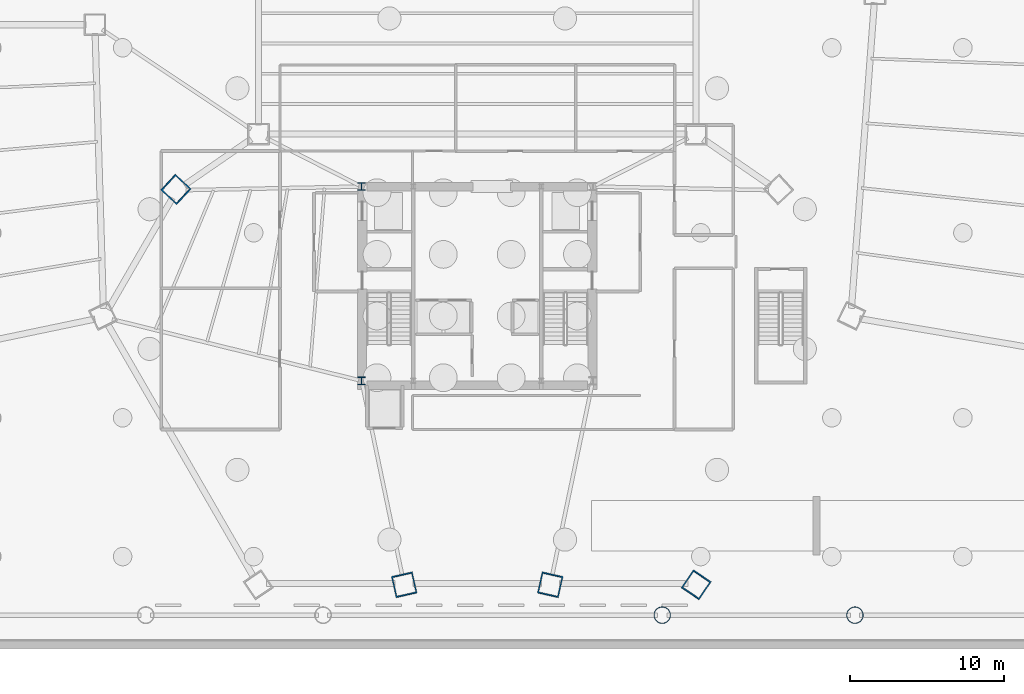
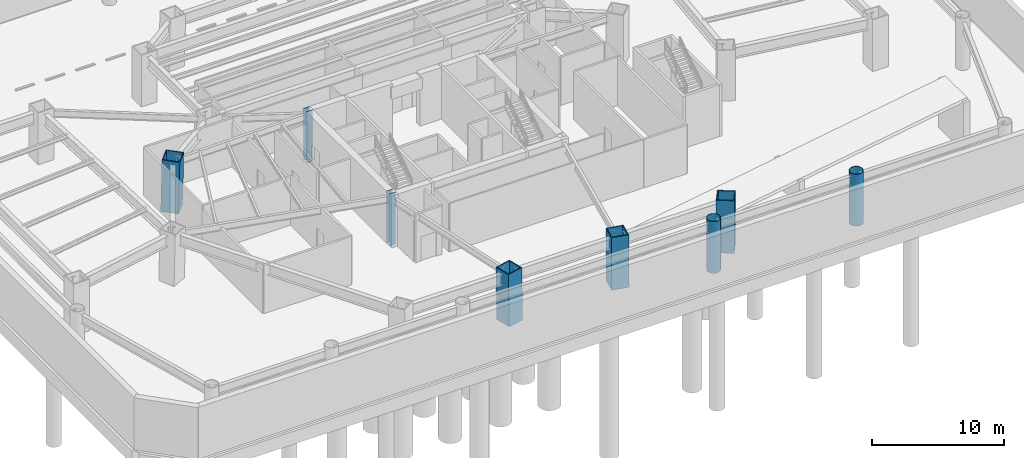
# One storey, part 2 of 11: 8 columns.
"""IFC4 building model written with IfcOpenShell, lengths in metres."""

from ifc_helpers import new_model, si_unit, direction, frame, origin, origin_2d, place, context, subcontext, project, spatial, hollow_rectangle, hollow_circle, i_section, extrude, source, transform, mapped, material, material_profile, profile_set, type_object, type_shapes, element, save


model = new_model("IFC4")

# Units and contexts
model_context = context("Model", 3, precision=1e-05, world=origin(), true_north=direction((0.0, 1.0)))
body_context = subcontext(model_context, "Body", "Model", "MODEL_VIEW")
ifc_project = project(units=[si_unit("LENGTHUNIT", "METRE"), si_unit("AREAUNIT", "SQUARE_METRE"), si_unit("VOLUMEUNIT", "CUBIC_METRE"), si_unit("PLANEANGLEUNIT", "RADIAN"), si_unit("MASSUNIT", "GRAM", prefix="KILO")], contexts=[model_context])

# Site, building, storey
site_placement = place(None, origin())
site = spatial("IfcSite", under=ifc_project, at=site_placement, CompositionType="ELEMENT")
building_placement = place(site_placement, origin())
building = spatial("IfcBuilding", under=site, at=building_placement, Name="Caelisora Broadcast Tower", CompositionType="ELEMENT")
storey_placement = place(building_placement, frame((0.0, 0.0, -4.800048828125)))
storey = spatial("IfcBuildingStorey", under=building, at=storey_placement, Name="B1", CompositionType="ELEMENT", Elevation=-4.800048828125)

# Columns
ifc_material_1 = material(Name="Steel Grade 350 (AS/NZS 3679.2)", Category="steel")
ifc_material_profile_1 = material_profile(ifc_material_1, i_section(OverallWidth=0.5, OverallDepth=0.5, WebThickness=0.028076171875, FlangeThickness=0.0400390625, at=origin_2d()), Name="Steel Grade 350 (AS/NZS 3679.2)")
ifc_profile_set_1 = profile_set([ifc_material_profile_1], Name="Steel Grade 350 (AS/NZS 3679.2)")
column_type_1 = type_object("IfcColumnType", Name="CC01", PredefinedType="COLUMN", material=ifc_profile_set_1)
shared_shape_1 = source(origin(), body_context, "Body", "SweptSolid", [
    extrude(i_section(OverallWidth=0.5, OverallDepth=0.5, WebThickness=0.028076171875, FlangeThickness=0.0400390625, at=origin_2d()), origin(), (0.0, 0.0, 1.0), 4.800048828125),
])
type_shapes(column_type_1, [shared_shape_1])
for number, where, z_axis, x_axis, name in (
    (1, (30.5, 17.39990234375, 0.0), (0.0, 0.0, 1.0), (1.0, 0.0, 0.0), "B1 column CC01"),
    (2, (30.5, 30.0, 0.0), (0.0, 0.0, 1.0), (1.0, 0.0, 0.0), "B1 column CC01"),
):
    element("IfcColumn", number, at=place(storey_placement, frame(where, z_axis=z_axis, x_axis=x_axis)), inside=storey, type_object=column_type_1, Name=name, PredefinedType="COLUMN", context=body_context, shape_type="MappedRepresentation", body=[
        mapped(shared_shape_1, transform((0.0, 0.0, 0.0), scale=1.0)),
    ])
ifc_material_2 = material(Name="Steel Grade 350 L15 (AS/NZS 3678)", Category="steel")
ifc_material_profile_2 = material_profile(ifc_material_2, hollow_rectangle(XDim=1.39990234375, YDim=1.39990234375, WallThickness=0.080078125, at=origin_2d()), Name="Steel Grade 350 L15 (AS/NZS 3678)")
ifc_profile_set_2 = profile_set([ifc_material_profile_2], Name="Steel Grade 350 L15 (AS/NZS 3678)")
column_type_2 = type_object("IfcColumnType", Name="MC01", PredefinedType="COLUMN", material=ifc_profile_set_2)
shared_shape_2 = source(origin(), body_context, "Body", "SweptSolid", [
    extrude(hollow_rectangle(XDim=1.39990234375, YDim=1.39990234375, WallThickness=0.080078125, at=origin_2d()), origin(), (0.0, 0.0, 1.0), 4.801513671875),
])
column_placement = place(storey_placement, frame((52.1962890625, 4.158203125, 0.0), z_axis=(0.013423747222, 0.019830535668, 0.999713235316), x_axis=(-0.828109472136, 0.560566411907, 0.0)))
element("IfcColumn", 3, at=column_placement, inside=storey, type_object=column_type_2, Name="B1 column MC01", PredefinedType="COLUMN", context=body_context, shape_type="MappedRepresentation", body=[
    mapped(shared_shape_2, transform((0.0, 0.0, 0.0), scale=1.0)),
])
shared_shape_3 = source(origin(), body_context, "Body", "SweptSolid", [
    extrude(hollow_rectangle(XDim=1.39990234375, YDim=1.39990234375, WallThickness=0.080078125, at=origin_2d()), origin(), (0.0, 0.0, 1.0), 4.801025390625),
])
type_shapes(column_type_2, [shared_shape_2, shared_shape_3])
for number, where, z_axis, x_axis, name in (
    (4, (18.45068359375, 29.82275390625, 0.0), (0.014899529501, -0.013780793498, 0.999794025663), (0.679008224545, 0.734130663438, 0.0), "B1 column MC01"),
    (5, (33.267822265625, 4.158203125, 0.0), (-0.004474940809, 0.019832124038, 0.99979330952), (-0.975475660355, -0.22010732849, 0.0), "B1 column MC01"),
    (6, (42.732177734375, 4.158203125, 0.0), (0.004474940809, 0.019832124038, 0.99979330952), (-0.975475660355, 0.22010732849, 0.0), "B1 column MC01"),
):
    element("IfcColumn", number, at=place(storey_placement, frame(where, z_axis=z_axis, x_axis=x_axis)), inside=storey, type_object=column_type_2, Name=name, PredefinedType="COLUMN", context=body_context, shape_type="MappedRepresentation", body=[
        mapped(shared_shape_3, transform((0.0, 0.0, 0.0), scale=1.0)),
    ])
ifc_material_profile_3 = material_profile(ifc_material_2, hollow_circle(Radius=0.550048828125, WallThickness=0.044921875, at=origin_2d()), Name="Steel Grade 350 L15 (AS/NZS 3678)")
ifc_profile_set_3 = profile_set([ifc_material_profile_3], Name="Steel Grade 350 L15 (AS/NZS 3678)")
column_type_3 = type_object("IfcColumnType", Name="PC01", PredefinedType="COLUMN", material=ifc_profile_set_3)
shared_shape_4 = source(origin(), body_context, "Body", "SweptSolid", [
    extrude(hollow_circle(Radius=0.550048828125, WallThickness=0.044921875, at=origin_2d()), origin(), (0.0, 0.0, 1.0), 4.800048828125),
])
type_shapes(column_type_3, [shared_shape_4])
for number, where, z_axis, x_axis, name in (
    (7, (50.0, 2.199951171875, 0.0), (0.0, 0.0, 1.0), (1.0, 0.0, 0.0), "B1 column PC01"),
    (8, (62.5, 2.199951171875, 0.0), (0.0, 0.0, 1.0), (1.0, 0.0, 0.0), "B1 column PC01"),
):
    element("IfcColumn", number, at=place(storey_placement, frame(where, z_axis=z_axis, x_axis=x_axis)), inside=storey, type_object=column_type_3, Name=name, PredefinedType="COLUMN", context=body_context, shape_type="MappedRepresentation", body=[
        mapped(shared_shape_4, transform((0.0, 0.0, 0.0), scale=1.0)),
    ])

save(model, "model.ifc")
